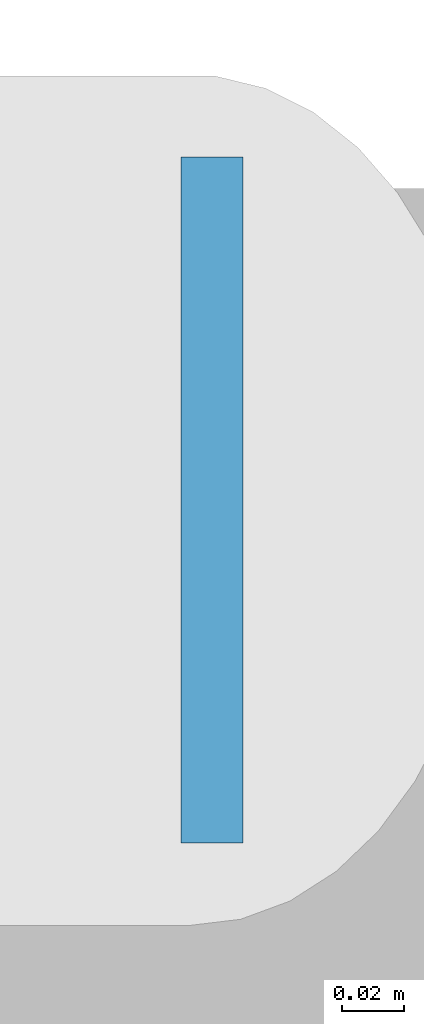
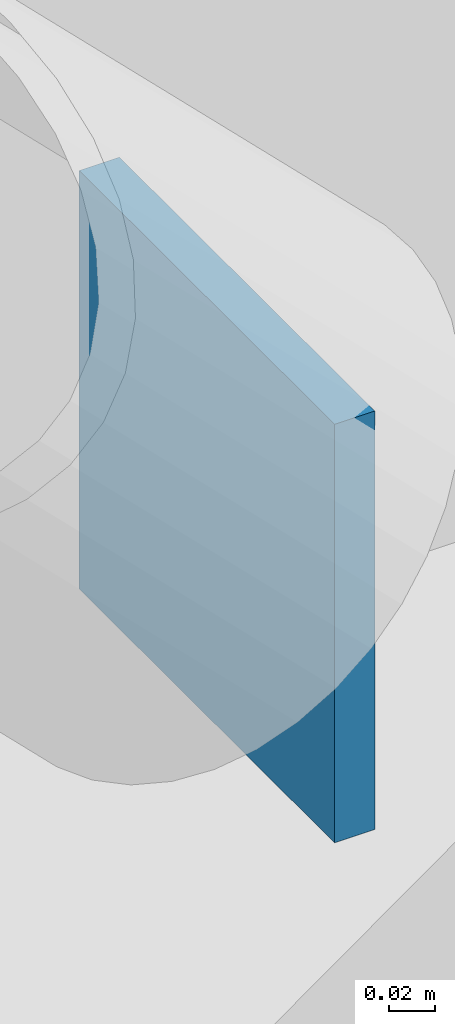
# One storey, part 30 of 38: 1 plate.
"""IFC4 building model written with IfcOpenShell, lengths in metres."""

from ifc_helpers import new_model, si_unit, derived_unit, direction, frame, origin, origin_2d, place, context, subcontext, project, spatial, rectangle, extrude, material, layer, layer_set, type_object, element, save


model = new_model("IFC4")

# Units and contexts
model_context = context("Model", 3, precision=1e-05, world=origin(), true_north=direction((0.0, 1.0)))
body_context = subcontext(model_context, "Body", "Model", "MODEL_VIEW")
ifc_project = project(units=[si_unit("LENGTHUNIT", "METRE"), si_unit("AREAUNIT", "SQUARE_METRE"), si_unit("VOLUMEUNIT", "CUBIC_METRE"), si_unit("PLANEANGLEUNIT", "RADIAN"), si_unit("MASSUNIT", "GRAM", prefix="KILO"), derived_unit("THERMALTRANSMITTANCEUNIT", [(si_unit("POWERUNIT", "WATT"), 1), (si_unit("LENGTHUNIT", "METRE"), -2), (si_unit("THERMODYNAMICTEMPERATUREUNIT", "KELVIN"), -1)])], contexts=[model_context])

# Site, building, storey
site_placement = place(None, origin())
site = spatial("IfcSite", under=ifc_project, at=site_placement, CompositionType="ELEMENT")
building_placement = place(site_placement, origin())
building = spatial("IfcBuilding", under=site, at=building_placement, Name="Nallur Shell Playhouse", CompositionType="ELEMENT")
storey_placement = place(building_placement, frame((0.0, 0.0, 24.300048828125)))
storey = spatial("IfcBuildingStorey", under=building, at=storey_placement, Name="L06", CompositionType="ELEMENT", Elevation=24.300048828125)

# Plate
ifc_material = material(Name="Steel E350", Category="steel")
ifc_layer = layer(ifc_material, 0.02001953125)
ifc_layer_set = layer_set([ifc_layer], Name="Steel E350")
plate_type = type_object("IfcPlateType", Name="PT-ENDCAP-20", PredefinedType="SHEET", material=ifc_layer_set)
plate_placement = place(storey_placement, frame((95.20703125, 83.0, 0.03271484375), z_axis=(0.0, 0.0, 1.0), x_axis=(1.0, 0.0, 0.0)))
element("IfcPlate", 1, at=plate_placement, inside=storey, type_object=plate_type, Name="Hollow end cap EC-BR-FT-L06-048-0", PredefinedType="SHEET", context=body_context, shape_type="SweptSolid", body=[
    extrude(rectangle(XDim=0.02001953125, YDim=0.219970703125, at=origin_2d()), origin(), (0.0, 0.0, 1.0), 0.219970703125),
])

save(model, "model.ifc")
